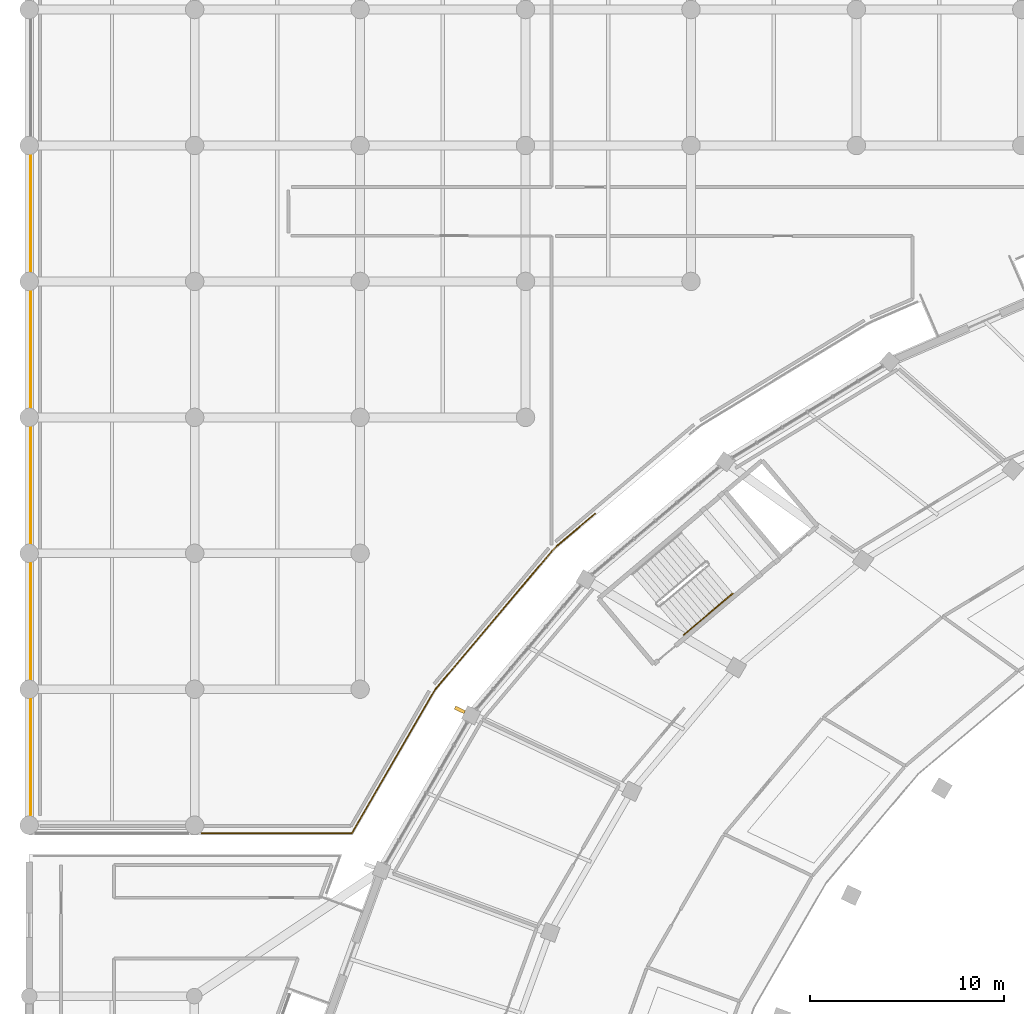
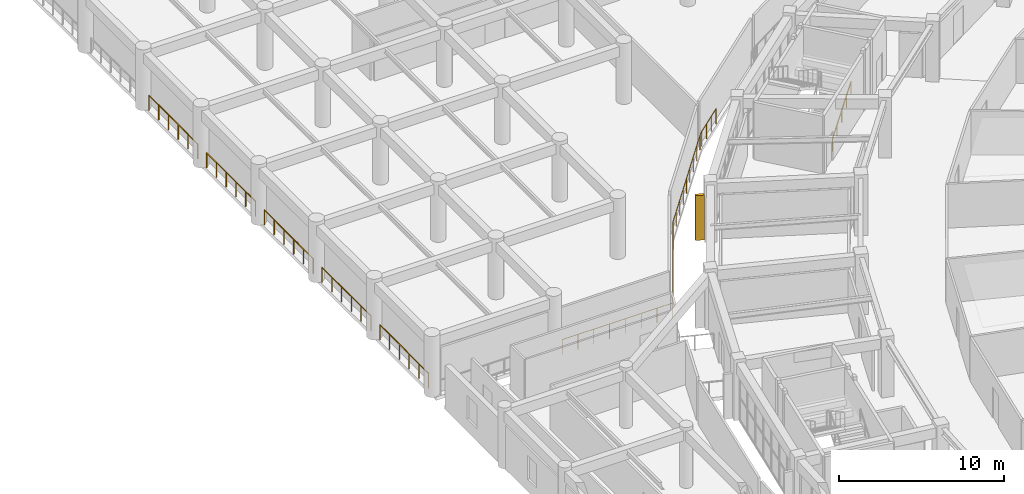
# One storey, part 132 of 141: 7 railings, 1 shading device.
"""IFC4 building model written with IfcOpenShell, lengths in metres."""

from ifc_helpers import new_model, si_unit, direction, frame, origin, origin_2d, place, context, subcontext, project, spatial, rectangle, circle, extrude, material, type_object, element, save


model = new_model("IFC4")

# Units and contexts
model_context = context("Model", 3, precision=1e-05, world=origin(), true_north=direction((0.0, 1.0)))
body_context = subcontext(model_context, "Body", "Model", "MODEL_VIEW")
ifc_project = project(units=[si_unit("LENGTHUNIT", "METRE"), si_unit("AREAUNIT", "SQUARE_METRE"), si_unit("VOLUMEUNIT", "CUBIC_METRE"), si_unit("PLANEANGLEUNIT", "RADIAN"), si_unit("MASSUNIT", "GRAM", prefix="KILO")], contexts=[model_context])

# Site, building, storey
site_placement = place(None, origin())
site = spatial("IfcSite", under=ifc_project, at=site_placement, CompositionType="ELEMENT")
building_placement = place(site_placement, origin())
building = spatial("IfcBuilding", under=site, at=building_placement, Name="Mphavela Belvedere Stadium", CompositionType="ELEMENT")
storey_placement = place(building_placement, frame((0.0, 0.0, 14.699951171875)))
storey = spatial("IfcBuildingStorey", under=building, at=storey_placement, Name="L03", CompositionType="ELEMENT", Elevation=14.699951171875)

# Railings
ifc_material_1 = material(Name="Bronze and laminated glass stadium balustrade", Category="glass")
railing_type_1 = type_object("IfcRailingType", Name="RAL-BALUSTRADE-1120", PredefinedType="BALUSTRADE", material=ifc_material_1)
railing_1_placement = place(storey_placement, frame((29.1396484375, 141.0400390625, 0.0)))
element("IfcRailing", 1, at=railing_1_placement, inside=storey, type_object=railing_type_1, Name="Peristyle wing gallery edge balustrade L03-35", PredefinedType="BALUSTRADE", context=body_context, shape_type="SweptSolid", body=[
    extrude(circle(Radius=0.02392578125, at=origin_2d()), frame((0.0, 0.0, 1.09619140625), z_axis=(-0.764250179802, -0.64491988857, 0.0), x_axis=(0.64491988857, -0.764250179802, 0.0)), (0.0, 0.0, 1.0), 2.54931640625),
    extrude(circle(Radius=0.02392578125, at=origin_2d()), frame((-1.9482421875, -1.64404296875, 1.09619140625), z_axis=(-0.707747566275, -0.706465414887, 0.0), x_axis=(0.706465414887, -0.707747566275, 0.0)), (0.0, 0.0, 1.0), 0.380859375),
    extrude(circle(Radius=0.02392578125, at=origin_2d()), frame((-2.2177734375, -1.9130859375, 1.09619140625), z_axis=(-0.644472492073, -0.764627495557, 0.0), x_axis=(0.764627495557, -0.644472492073, 0.0)), (0.0, 0.0, 1.0), 9.352783203125),
    extrude(circle(Radius=0.02392578125, at=origin_2d()), frame((-8.245361328125, -9.064453125, 1.09619140625), z_axis=(-0.501496666229, -0.86515957705, 0.0), x_axis=(0.86515957705, -0.501496666229, 0.0)), (0.0, 0.0, 1.0), 8.548095703125),
    extrude(circle(Radius=0.02392578125, at=origin_2d()), frame((-12.5322265625, -16.4599609375, 1.09619140625), z_axis=(-1.0, 0.0, 0.0), x_axis=(0.0, -1.0, 0.0)), (0.0, 0.0, 1.0), 7.73388671875),
    extrude(circle(Radius=0.02099609375, at=origin_2d()), origin(), (0.0, 0.0, 1.0), 1.072021484375),
    extrude(circle(Radius=0.02099609375, at=origin_2d()), frame((-0.6494140625, -0.548095703125, 0.0)), (0.0, 0.0, 1.0), 1.072021484375),
    extrude(circle(Radius=0.02099609375, at=origin_2d()), frame((-1.298828125, -1.095947265625, 0.0)), (0.0, 0.0, 1.0), 1.072021484375),
    extrude(circle(Radius=0.02099609375, at=origin_2d()), frame((-1.9482421875, -1.64404296875, 0.0)), (0.0, 0.0, 1.0), 1.072021484375),
    extrude(circle(Radius=0.02099609375, at=origin_2d()), frame((-2.2177734375, -1.9130859375, 0.0)), (0.0, 0.0, 1.0), 1.072021484375),
    extrude(circle(Radius=0.02099609375, at=origin_2d()), frame((-2.97119140625, -2.80712890625, 0.0)), (0.0, 0.0, 1.0), 1.072021484375),
    extrude(circle(Radius=0.02099609375, at=origin_2d()), frame((-3.724609375, -3.700927734375, 0.0)), (0.0, 0.0, 1.0), 1.072021484375),
    extrude(circle(Radius=0.02099609375, at=origin_2d()), frame((-4.47802734375, -4.5947265625, 0.0)), (0.0, 0.0, 1.0), 1.072021484375),
    extrude(circle(Radius=0.02099609375, at=origin_2d()), frame((-5.2314453125, -5.48876953125, 0.0)), (0.0, 0.0, 1.0), 1.072021484375),
    extrude(circle(Radius=0.02099609375, at=origin_2d()), frame((-5.985107421875, -6.3828125, 0.0)), (0.0, 0.0, 1.0), 1.072021484375),
    extrude(circle(Radius=0.02099609375, at=origin_2d()), frame((-6.738525390625, -7.276611328125, 0.0)), (0.0, 0.0, 1.0), 1.072021484375),
    extrude(circle(Radius=0.02099609375, at=origin_2d()), frame((-7.491943359375, -8.17041015625, 0.0)), (0.0, 0.0, 1.0), 1.072021484375),
    extrude(circle(Radius=0.02099609375, at=origin_2d()), frame((-8.245361328125, -9.064453125, 0.0)), (0.0, 0.0, 1.0), 1.072021484375),
    extrude(circle(Radius=0.02099609375, at=origin_2d()), frame((-8.78125, -9.98876953125, 0.0)), (0.0, 0.0, 1.0), 1.072021484375),
    extrude(circle(Radius=0.02099609375, at=origin_2d()), frame((-9.317138671875, -10.913330078125, 0.0)), (0.0, 0.0, 1.0), 1.072021484375),
    extrude(circle(Radius=0.02099609375, at=origin_2d()), frame((-9.85302734375, -11.837890625, 0.0)), (0.0, 0.0, 1.0), 1.072021484375),
    extrude(circle(Radius=0.02099609375, at=origin_2d()), frame((-10.388671875, -12.76220703125, 0.0)), (0.0, 0.0, 1.0), 1.072021484375),
    extrude(circle(Radius=0.02099609375, at=origin_2d()), frame((-10.924560546875, -13.6865234375, 0.0)), (0.0, 0.0, 1.0), 1.072021484375),
    extrude(circle(Radius=0.02099609375, at=origin_2d()), frame((-11.46044921875, -14.611083984375, 0.0)), (0.0, 0.0, 1.0), 1.072021484375),
    extrude(circle(Radius=0.02099609375, at=origin_2d()), frame((-11.996337890625, -15.53564453125, 0.0)), (0.0, 0.0, 1.0), 1.072021484375),
    extrude(circle(Radius=0.02099609375, at=origin_2d()), frame((-12.5322265625, -16.4599609375, 0.0)), (0.0, 0.0, 1.0), 1.072021484375),
    extrude(circle(Radius=0.02099609375, at=origin_2d()), frame((-13.636962890625, -16.4599609375, 0.0)), (0.0, 0.0, 1.0), 1.072021484375),
    extrude(circle(Radius=0.02099609375, at=origin_2d()), frame((-14.741943359375, -16.4599609375, 0.0)), (0.0, 0.0, 1.0), 1.072021484375),
    extrude(circle(Radius=0.02099609375, at=origin_2d()), frame((-15.8466796875, -16.4599609375, 0.0)), (0.0, 0.0, 1.0), 1.072021484375),
    extrude(circle(Radius=0.02099609375, at=origin_2d()), frame((-16.95166015625, -16.4599609375, 0.0)), (0.0, 0.0, 1.0), 1.072021484375),
    extrude(circle(Radius=0.02099609375, at=origin_2d()), frame((-18.056396484375, -16.4599609375, 0.0)), (0.0, 0.0, 1.0), 1.072021484375),
    extrude(circle(Radius=0.02099609375, at=origin_2d()), frame((-19.161376953125, -16.4599609375, 0.0)), (0.0, 0.0, 1.0), 1.072021484375),
    extrude(circle(Radius=0.02099609375, at=origin_2d()), frame((-20.26611328125, -16.4599609375, 0.0)), (0.0, 0.0, 1.0), 1.072021484375),
])
for number, where, name in (
    (2, (0.080078125, 125.54345703125, 0.0), "Peristyle wing gallery edge balustrade L03-37"),
    (3, (0.080078125, 132.54345703125, 0.0), "Peristyle wing gallery edge balustrade L03-38"),
    (4, (0.080078125, 139.54345703125, 0.0), "Peristyle wing gallery edge balustrade L03-39"),
    (5, (0.080078125, 146.54345703125, 0.0), "Peristyle wing gallery edge balustrade L03-40"),
    (6, (0.080078125, 153.54345703125, 0.0), "Peristyle wing gallery edge balustrade L03-41"),
):
    element("IfcRailing", number, at=place(storey_placement, frame(where)), inside=storey, type_object=railing_type_1, Name=name, PredefinedType="BALUSTRADE", context=body_context, shape_type="SweptSolid", body=[
        extrude(circle(Radius=0.02392578125, at=origin_2d()), frame((0.0, 0.0, 1.09619140625), z_axis=(0.0, 1.0, 0.0), x_axis=(-1.0, 0.0, 0.0)), (0.0, 0.0, 1.0), 5.9130859375),
        extrude(circle(Radius=0.02099609375, at=origin_2d()), origin(), (0.0, 0.0, 1.0), 1.072021484375),
        extrude(circle(Radius=0.02099609375, at=origin_2d()), frame((0.0, 1.1826171875, 0.0)), (0.0, 0.0, 1.0), 1.072021484375),
        extrude(circle(Radius=0.02099609375, at=origin_2d()), frame((0.0, 2.365234375, 0.0)), (0.0, 0.0, 1.0), 1.072021484375),
        extrude(circle(Radius=0.02099609375, at=origin_2d()), frame((0.0, 3.5478515625, 0.0)), (0.0, 0.0, 1.0), 1.072021484375),
        extrude(circle(Radius=0.02099609375, at=origin_2d()), frame((0.0, 4.73046875, 0.0)), (0.0, 0.0, 1.0), 1.072021484375),
        extrude(circle(Radius=0.02099609375, at=origin_2d()), frame((0.0, 5.9130859375, 0.0)), (0.0, 0.0, 1.0), 1.072021484375),
    ])
ifc_material_2 = material(Name="Brushed stainless steel tubular handrail", Category="steel")
railing_type_2 = type_object("IfcRailingType", Name="RAL-HANDRAIL-900", PredefinedType="HANDRAIL", material=ifc_material_2)
railing_2_placement = place(storey_placement, frame((33.687255859375, 134.79150390625, 0.1875)))
element("IfcRailing", 7, at=railing_2_placement, inside=storey, type_object=railing_type_2, Name="L03 ST-C05 stair handrail 1", PredefinedType="HANDRAIL", context=body_context, shape_type="SweptSolid", body=[
    extrude(circle(Radius=0.02392578125, at=origin_2d()), frame((0.0, 0.0, 0.8759765625), z_axis=(0.649270715457, 0.547937282321, 0.527458313702), x_axis=(-0.644950085505, 0.764224696805, 0.0)), (0.0, 0.0, 1.0), 3.91015625),
    extrude(circle(Radius=0.02099609375, at=origin_2d()), origin(), (0.0, 0.0, 1.0), 0.851806640625),
    extrude(circle(Radius=0.02099609375, at=origin_2d()), frame((0.634765625, 0.53564453125, 0.515625)), (0.0, 0.0, 1.0), 0.851806640625),
    extrude(circle(Radius=0.02099609375, at=origin_2d()), frame((1.26953125, 1.0712890625, 1.03125)), (0.0, 0.0, 1.0), 0.851806640625),
    extrude(circle(Radius=0.02099609375, at=origin_2d()), frame((1.904052734375, 1.60693359375, 1.546875)), (0.0, 0.0, 1.0), 0.851806640625),
    extrude(circle(Radius=0.02099609375, at=origin_2d()), frame((2.538818359375, 2.142578125, 2.0625)), (0.0, 0.0, 1.0), 0.851806640625),
])

# Shading device
ifc_material_3 = material(Name="Honed limestone and bronze vertical brise-soleil fin", Category="masonry")
shading_device_type = type_object("IfcShadingDeviceType", Name="SHD-SOLAR-FIN", PredefinedType="USERDEFINED", material=ifc_material_3)
shading_device_placement = place(storey_placement, frame((22.171875, 130.938720703125, 0.0), z_axis=(0.0, 0.0, 1.0), x_axis=(-0.903858661687, 0.4278311813, 0.0)))
element("IfcShadingDevice", 8, at=shading_device_placement, inside=storey, type_object=shading_device_type, Name="Classical vertical solar brise-soleil fin L03-21", ObjectType="SOLAR FIN", PredefinedType="USERDEFINED", context=body_context, shape_type="SweptSolid", body=[
    extrude(rectangle(XDim=0.550048828125, YDim=0.179931640625, at=origin_2d()), origin(), (0.0, 0.0, 1.0), 3.320068359375),
])

save(model, "model.ifc")
